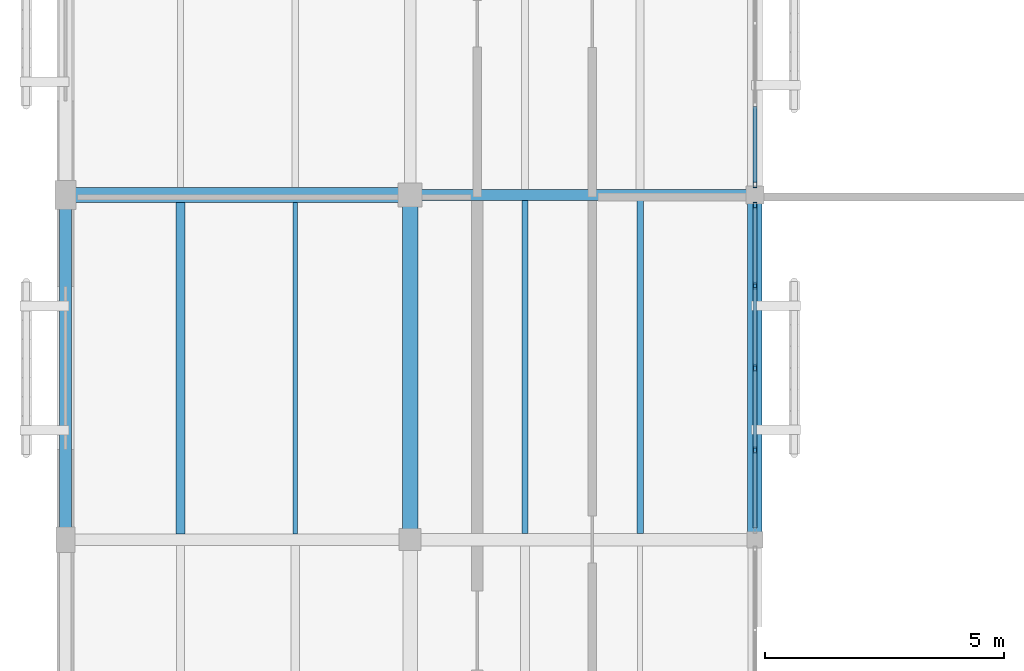
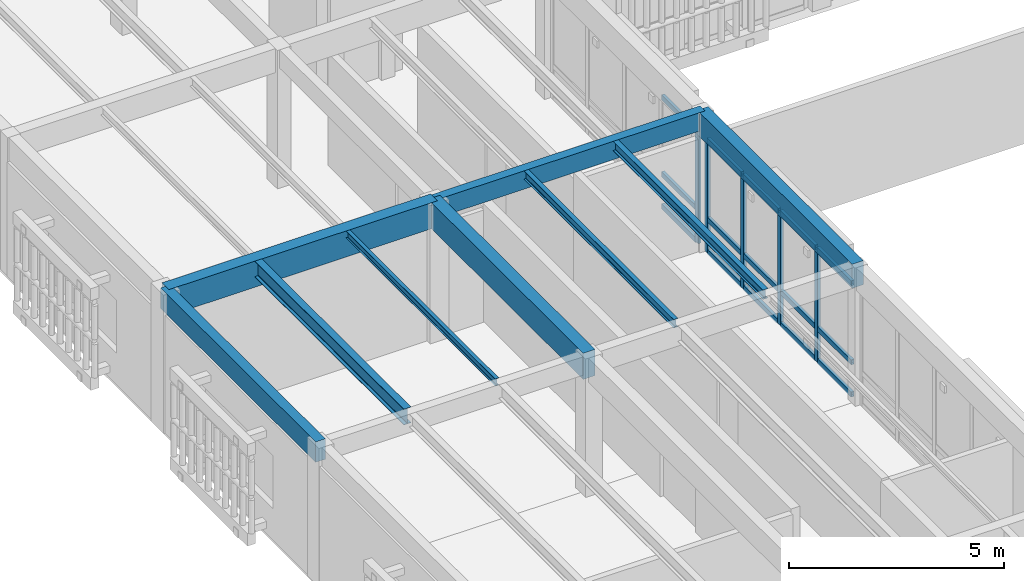
# One storey, part 30 of 112: 20 members, 9 beams, 2 elements without a shape of their own.
"""IFC4 building model written with IfcOpenShell, lengths in metres."""

import ifcopenshell
import ifcopenshell.guid

model = None  # the IFC model being written
_history = None  # IfcOwnerHistory: only IFC2X3 demands one
_inside = {}  # id of a spatial element -> (the spatial element, [elements in it])
_under = {}  # id of a project, library or spatial element -> (it, [spatial elements below it])
_declared = {}  # id of a project -> (the project, [libraries it declares])
_typed = {}  # id of a type object -> (the type object, [elements of that type])
_made_of = {}  # id of a material, layer set ... -> (it, [elements and type objects made of it])


def new_model(schema):
    """Start an empty IFC model of exactly this schema.

    Asked for "IFC4X3", IfcOpenShell would pick the latest addendum, in which some entities
    have other attributes; the version numbers below select the first issue.
    IFC2X3 requires an IfcOwnerHistory on every rooted entity: one is made here for all.
    """
    global model, _history
    if schema == "IFC4X3":
        model = ifcopenshell.file(schema_version=(4, 3, 0, 0))
    else:
        model = ifcopenshell.file(schema=schema)
    _inside.clear()
    _under.clear()
    _declared.clear()
    _typed.clear()
    _made_of.clear()
    _history = None
    if model.schema == "IFC2X3":
        org = make("IfcOrganization", Name="unknown")
        user = make(
            "IfcPersonAndOrganization",
            ThePerson=make("IfcPerson", FamilyName="unknown"),
            TheOrganization=org,
        )
        app = make(
            "IfcApplication",
            ApplicationDeveloper=org,
            Version="unknown",
            ApplicationFullName="unknown",
            ApplicationIdentifier="unknown",
        )
        _history = make(
            "IfcOwnerHistory",
            OwningUser=user,
            OwningApplication=app,
            ChangeAction="ADDED",
            CreationDate=0,
        )
    return model


def make(cls, **values):
    """One entity of the class cls with the attributes given. An attribute that is None is left unset."""
    return model.create_entity(
        cls, **{name: value for name, value in values.items() if value is not None}
    )


def rooted(cls, **values):
    """An entity with a GlobalId (a new one), such as an element, a storey or a relation."""
    return make(cls, GlobalId=ifcopenshell.guid.new(), OwnerHistory=_history, **values)


def si_unit(unit_type, name, prefix=None):
    """IfcSIUnit, for example si_unit("LENGTHUNIT", "METRE", prefix="MILLI")."""
    return make("IfcSIUnit", UnitType=unit_type, Prefix=prefix, Name=name)


def assignment(units):
    """IfcUnitAssignment: the units of a project."""
    return None if units is None else make("IfcUnitAssignment", Units=units)


def point(xyz):
    """IfcCartesianPoint."""
    return None if xyz is None else make("IfcCartesianPoint", Coordinates=xyz)


def direction(xyz):
    """IfcDirection."""
    return None if xyz is None else make("IfcDirection", DirectionRatios=xyz)


def frame(location, z_axis=None, x_axis=None):
    """IfcAxis2Placement3D, a coordinate frame: its origin and axes. An axis left out is left unset."""
    return make(
        "IfcAxis2Placement3D",
        Location=point(location),
        Axis=direction(z_axis),
        RefDirection=direction(x_axis),
    )


def frame_2d(location, x_axis=None):
    """IfcAxis2Placement2D, a coordinate frame in the plane: its origin and x axis."""
    return make(
        "IfcAxis2Placement2D", Location=point(location), RefDirection=direction(x_axis)
    )


def origin():
    """The frame at (0, 0, 0) with its axes left unset."""
    return frame((0.0, 0.0, 0.0))


def origin_2d():
    """The frame at (0, 0) in the plane with its x axis left unset."""
    return frame_2d((0.0, 0.0))


def place(relative_to, where):
    """IfcLocalPlacement: puts the frame where relative to a parent placement (None: the world)."""
    return make(
        "IfcLocalPlacement", PlacementRelTo=relative_to, RelativePlacement=where
    )


def context(
    kind, dimensions, precision=None, world=None, true_north=None, identifier=None
):
    """IfcGeometricRepresentationContext, for example the 3D "Model" context."""
    return make(
        "IfcGeometricRepresentationContext",
        ContextIdentifier=identifier,
        ContextType=kind,
        CoordinateSpaceDimension=dimensions,
        Precision=precision,
        WorldCoordinateSystem=world,
        TrueNorth=true_north,
    )


def subcontext(parent, identifier, kind, view, scale=None):
    """IfcGeometricRepresentationSubContext, for example "Body" below "Model"."""
    return make(
        "IfcGeometricRepresentationSubContext",
        ContextIdentifier=identifier,
        ContextType=kind,
        ParentContext=parent,
        TargetScale=scale,
        TargetView=view,
    )


def project(units=None, contexts=None):
    """IfcProject with its units and contexts."""
    return rooted(
        "IfcProject",
        Name="project",
        RepresentationContexts=contexts,
        UnitsInContext=assignment(units),
    )


def spatial(cls, under=None, at=None, **own):
    """A site, building, storey or space (cls), placed at a placement, below another one or the project."""
    s = rooted(cls, ObjectPlacement=at, **own)
    if under is not None:
        _under.setdefault(under.id(), (under, []))[1].append(s)
    return s


def profile(cls, at=None, kind="AREA", **sizes):
    """A parametric profile (cls). Its sizes go by their IFC names, for example OverallWidth=200.0."""
    return make(cls, ProfileType=kind, Position=at, **sizes)


def rectangle(**sizes):
    """IfcRectangleProfileDef."""
    return profile("IfcRectangleProfileDef", **sizes)


def hollow_rectangle(**sizes):
    """IfcRectangleHollowProfileDef."""
    return profile("IfcRectangleHollowProfileDef", **sizes)


def i_section(**sizes):
    """IfcIShapeProfileDef."""
    return profile("IfcIShapeProfileDef", **sizes)


def extrude(swept, where, along, depth):
    """IfcExtrudedAreaSolid: the profile swept, set in the frame where, extruded along a direction by depth."""
    return make(
        "IfcExtrudedAreaSolid",
        SweptArea=swept,
        Position=where,
        ExtrudedDirection=direction(along),
        Depth=depth,
    )


def shape(context_of_items, identifier, shape_type, items):
    """IfcShapeRepresentation: the items that make up one representation, for example the "Body"."""
    return make(
        "IfcShapeRepresentation",
        ContextOfItems=context_of_items,
        RepresentationIdentifier=identifier,
        RepresentationType=shape_type,
        Items=items,
    )


def material(Name=None, Category=None):
    """IfcMaterial."""
    return make("IfcMaterial", Name=Name, Category=Category)


def layer(
    of_material, thickness, ventilated=None, Name=None, Category=None, Priority=None
):
    """IfcMaterialLayer: one layer of a wall or slab, of a material (None: an air gap)."""
    return make(
        "IfcMaterialLayer",
        Material=of_material,
        LayerThickness=thickness,
        IsVentilated=ventilated,
        Name=Name,
        Category=Category,
        Priority=Priority,
    )


def layer_set(layers, Name=None):
    """IfcMaterialLayerSet."""
    return make("IfcMaterialLayerSet", MaterialLayers=layers, LayerSetName=Name)


def material_profile(
    of_material, cross_section, Name=None, Category=None, Priority=None
):
    """IfcMaterialProfile: a cross section and its material."""
    return make(
        "IfcMaterialProfile",
        Name=Name,
        Material=of_material,
        Profile=cross_section,
        Priority=Priority,
        Category=Category,
    )


def profile_set(profiles, Name=None, composite=None):
    """IfcMaterialProfileSet."""
    return make(
        "IfcMaterialProfileSet",
        Name=Name,
        MaterialProfiles=profiles,
        CompositeProfile=composite,
    )


def made_of(thing, what):
    """Note that an element or type object is made of a material, layer set ...; save() writes the relation."""
    if what is not None:
        _made_of.setdefault(what.id(), (what, []))[1].append(thing)
    return thing


def type_object(cls, material=None, **own):
    """A type object (cls), such as IfcWallType, which elements share."""
    return made_of(rooted(cls, **own), material)


def element(
    cls,
    number,
    at=None,
    inside=None,
    cuts=None,
    type_object=None,
    material=None,
    context=None,
    identifier="Body",
    shape_type=None,
    held_by="IfcProductDefinitionShape",
    body=None,
    shapes=None,
    **own,
):
    """One element of the class cls, such as IfcWall. Its Tag is "e" and its number.

    at: its placement. inside: the storey or other place that contains it. cuts: it is an
    opening in that element (IfcRelVoidsElement). A single representation is given by context,
    identifier, shape_type and body (its items); several are given by shapes. held_by: the class
    of the entity that holds the representations. save() writes the other relations.
    """
    e = rooted(cls, Tag="e%d" % number, ObjectPlacement=at, **own)
    if body is not None:
        shapes = [shape(context, identifier, shape_type, body)]
    if shapes is not None:
        e.Representation = make(held_by, Representations=shapes)
    if inside is not None:
        _inside.setdefault(inside.id(), (inside, []))[1].append(e)
    if cuts is not None:
        rooted(
            "IfcRelVoidsElement", RelatingBuildingElement=cuts, RelatedOpeningElement=e
        )
    if type_object is not None:
        _typed.setdefault(type_object.id(), (type_object, []))[1].append(e)
    return made_of(e, material)


def aggregate(whole, parts):
    """IfcRelAggregates: a whole, such as a stair, and the parts it consists of."""
    return rooted("IfcRelAggregates", RelatingObject=whole, RelatedObjects=parts)


def save(model, path):
    """Write the relations noted so far, then the file.

    IfcRelAggregates (storeys below a building ...), IfcRelContainedInSpatialStructure (elements
    in a storey), IfcRelDefinesByType, IfcRelAssociatesMaterial and IfcRelDeclares: one each for
    every whole, place, type object, material and project.
    """
    for whole, parts in _under.values():
        aggregate(whole, parts)
    for where, things in _inside.values():
        rooted(
            "IfcRelContainedInSpatialStructure",
            RelatedElements=things,
            RelatingStructure=where,
        )
    for kind, things in _typed.values():
        rooted("IfcRelDefinesByType", RelatedObjects=things, RelatingType=kind)
    for what, things in _made_of.values():
        rooted("IfcRelAssociatesMaterial", RelatedObjects=things, RelatingMaterial=what)
    for by, libraries in _declared.values():
        rooted("IfcRelDeclares", RelatingContext=by, RelatedDefinitions=libraries)
    model.write(path)


model = new_model("IFC4")

# Units and contexts
model_context = context("Model", 3, precision=1e-05, world=origin(), true_north=direction((0.0, 1.0)))
body_context = subcontext(model_context, "Body", "Model", "MODEL_VIEW")
ifc_project = project(units=[si_unit("LENGTHUNIT", "METRE"), si_unit("AREAUNIT", "SQUARE_METRE"), si_unit("VOLUMEUNIT", "CUBIC_METRE"), si_unit("PLANEANGLEUNIT", "RADIAN"), si_unit("MASSUNIT", "GRAM", prefix="KILO")], contexts=[model_context])

# Site, building, storey
site_placement = place(None, origin())
site = spatial("IfcSite", under=ifc_project, at=site_placement, CompositionType="ELEMENT")
building_placement = place(site_placement, origin())
building = spatial("IfcBuilding", under=site, at=building_placement, Name="Mazaris Harbour Polytechnic", CompositionType="ELEMENT")
storey_placement = place(building_placement, frame((0.0, 0.0, 13.800048828125)))
storey = spatial("IfcBuildingStorey", under=building, at=storey_placement, Name="L03", CompositionType="ELEMENT", Elevation=13.800048828125)

# Curtain wall, members
ifc_material_1 = material(Name="Anodised Bronze Aluminium and Low-E Glass", Category="aluminium")
ifc_layer = layer(ifc_material_1, 0.159912109375, Name="Anodised Bronze Aluminium and Low-E Glass")
ifc_layer_set = layer_set([ifc_layer], Name="Anodised Bronze Aluminium and Low-E Glass")
curtain_wall_type = type_object("IfcCurtainWallType", Name="Cloister Court Curtain Wall", PredefinedType="NOTDEFINED", material=ifc_layer_set)
curtain_wall_1_placement = place(storey_placement, origin())
curtain_wall_1 = element("IfcCurtainWall", 1, at=curtain_wall_1_placement, inside=storey, type_object=curtain_wall_type, Name="V4 L03 Curtain Wall 156", PredefinedType="NOTDEFINED")
ifc_material_2 = material(Name="Anodised Bronze Steel S355", Category="steel")
ifc_material_profile_1 = material_profile(ifc_material_2, hollow_rectangle(XDim=0.080078125, YDim=0.139892578125, WallThickness=0.00634765625, at=origin_2d()), Name="RHS 80x140x6.3")
ifc_profile_set_1 = profile_set([ifc_material_profile_1], Name="Anodised Bronze Steel S355")
member_type_1 = type_object("IfcMemberType", Name="Curtain Mullion RHS80x140", PredefinedType="MULLION", material=ifc_profile_set_1)
member_1_placement = place(storey_placement, frame((14.39990234375, 55.8759765625, 0.0), z_axis=(0.0, 0.0, 1.0), x_axis=(-1.0, 0.0, 0.0)))
member_1 = element("IfcMember", 2, at=member_1_placement, type_object=member_type_1, Name="CW-02 mullion 2", PredefinedType="MULLION", context=body_context, shape_type="SweptSolid", body=[
    extrude(hollow_rectangle(XDim=0.080078125, YDim=0.139892578125, WallThickness=0.00634765625, at=origin_2d()), origin(), (0.0, 0.0, 1.0), 3.22998046875),
])
member_2_placement = place(storey_placement, frame((14.39990234375, 57.590087890625, 0.0), z_axis=(0.0, 0.0, 1.0), x_axis=(-1.0, 0.0, 0.0)))
member_2 = element("IfcMember", 3, at=member_2_placement, type_object=member_type_1, Name="CW-02 mullion 3", PredefinedType="MULLION", context=body_context, shape_type="SweptSolid", body=[
    extrude(hollow_rectangle(XDim=0.080078125, YDim=0.139892578125, WallThickness=0.00634765625, at=origin_2d()), origin(), (0.0, 0.0, 1.0), 3.22998046875),
])
member_3_placement = place(storey_placement, frame((14.39990234375, 59.303955078125, 0.0), z_axis=(0.0, 0.0, 1.0), x_axis=(-1.0, 0.0, 0.0)))
member_3 = element("IfcMember", 4, at=member_3_placement, type_object=member_type_1, Name="CW-02 mullion 4", PredefinedType="MULLION", context=body_context, shape_type="SweptSolid", body=[
    extrude(hollow_rectangle(XDim=0.080078125, YDim=0.139892578125, WallThickness=0.00634765625, at=origin_2d()), origin(), (0.0, 0.0, 1.0), 3.22998046875),
])
member_4_placement = place(storey_placement, frame((14.39990234375, 60.97802734375, 0.0), z_axis=(0.0, 0.0, 1.0), x_axis=(-1.0, 0.0, 0.0)))
member_4 = element("IfcMember", 5, at=member_4_placement, type_object=member_type_1, Name="CW-02 mullion 5", PredefinedType="MULLION", context=body_context, shape_type="SweptSolid", body=[
    extrude(hollow_rectangle(XDim=0.080078125, YDim=0.139892578125, WallThickness=0.00634765625, at=origin_2d()), origin(), (0.0, 0.0, 1.0), 3.22998046875),
])

# Curtain wall, member
curtain_wall_2_placement = place(storey_placement, origin())
curtain_wall_2 = element("IfcCurtainWall", 6, at=curtain_wall_2_placement, inside=storey, type_object=curtain_wall_type, Name="V4 L03 Curtain Wall 157", PredefinedType="NOTDEFINED")
member_5_placement = place(storey_placement, frame((14.39990234375, 61.422119140625, 0.0), z_axis=(0.0, 0.0, 1.0), x_axis=(-1.0, 0.0, 0.0)))
member_5 = element("IfcMember", 7, at=member_5_placement, type_object=member_type_1, Name="CW-02 mullion 1", PredefinedType="MULLION", context=body_context, shape_type="SweptSolid", body=[
    extrude(hollow_rectangle(XDim=0.080078125, YDim=0.139892578125, WallThickness=0.00634765625, at=origin_2d()), origin(), (0.0, 0.0, 1.0), 3.169921875),
])

# Member
ifc_material_3 = material(Name="Anodised Bronze Steel S355", Category="steel")
ifc_material_profile_2 = material_profile(ifc_material_3, hollow_rectangle(XDim=0.080078125, YDim=0.139892578125, WallThickness=0.00634765625, at=origin_2d()), Name="RHS 80x140x6.3")
ifc_profile_set_2 = profile_set([ifc_material_profile_2], Name="Anodised Bronze Steel S355")
member_type_2 = type_object("IfcMemberType", Name="Curtain Transom RHS80x140", PredefinedType="USERDEFINED", material=ifc_profile_set_2)
member_6_placement = place(storey_placement, frame((14.39990234375, 54.241943359375, 0.0400390625), z_axis=(0.0, 1.0, 0.0), x_axis=(-1.0, 0.0, 0.0)))
member_6 = element("IfcMember", 8, at=member_6_placement, type_object=member_type_2, Name="CW-02 transom 1.1", ObjectType="TRANSOM", PredefinedType="USERDEFINED", context=body_context, shape_type="SweptSolid", body=[
    extrude(hollow_rectangle(XDim=0.080078125, YDim=0.139892578125, WallThickness=0.00634765625, at=origin_2d()), origin(), (0.0, 0.0, 1.0), 1.593994140625),
])

member_7_placement = place(storey_placement, frame((14.39990234375, 54.241943359375, 0.949951171875), z_axis=(0.0, 1.0, 0.0), x_axis=(-1.0, 0.0, 0.0)))
member_7 = element("IfcMember", 9, at=member_7_placement, type_object=member_type_2, Name="CW-02 transom 1.2", ObjectType="TRANSOM", PredefinedType="USERDEFINED", context=body_context, shape_type="SweptSolid", body=[
    extrude(hollow_rectangle(XDim=0.080078125, YDim=0.139892578125, WallThickness=0.00634765625, at=origin_2d()), origin(), (0.0, 0.0, 1.0), 1.593994140625),
])

member_8_placement = place(storey_placement, frame((14.39990234375, 54.241943359375, 3.18994140625), z_axis=(0.0, 1.0, 0.0), x_axis=(-1.0, 0.0, 0.0)))
member_8 = element("IfcMember", 10, at=member_8_placement, type_object=member_type_2, Name="CW-02 transom 1.3", ObjectType="TRANSOM", PredefinedType="USERDEFINED", context=body_context, shape_type="SweptSolid", body=[
    extrude(hollow_rectangle(XDim=0.080078125, YDim=0.139892578125, WallThickness=0.00634765625, at=origin_2d()), origin(), (0.0, 0.0, 1.0), 1.593994140625),
])

member_9_placement = place(storey_placement, frame((14.39990234375, 55.916015625, 0.0400390625), z_axis=(0.0, 1.0, 0.0), x_axis=(-1.0, 0.0, 0.0)))
member_9 = element("IfcMember", 11, at=member_9_placement, type_object=member_type_2, Name="CW-02 transom 2.1", ObjectType="TRANSOM", PredefinedType="USERDEFINED", context=body_context, shape_type="SweptSolid", body=[
    extrude(hollow_rectangle(XDim=0.080078125, YDim=0.139892578125, WallThickness=0.00634765625, at=origin_2d()), origin(), (0.0, 0.0, 1.0), 1.634033203125),
])

member_10_placement = place(storey_placement, frame((14.39990234375, 55.916015625, 0.949951171875), z_axis=(0.0, 1.0, 0.0), x_axis=(-1.0, 0.0, 0.0)))
member_10 = element("IfcMember", 12, at=member_10_placement, type_object=member_type_2, Name="CW-02 transom 2.2", ObjectType="TRANSOM", PredefinedType="USERDEFINED", context=body_context, shape_type="SweptSolid", body=[
    extrude(hollow_rectangle(XDim=0.080078125, YDim=0.139892578125, WallThickness=0.00634765625, at=origin_2d()), origin(), (0.0, 0.0, 1.0), 1.634033203125),
])

member_11_placement = place(storey_placement, frame((14.39990234375, 55.916015625, 3.18994140625), z_axis=(0.0, 1.0, 0.0), x_axis=(-1.0, 0.0, 0.0)))
member_11 = element("IfcMember", 13, at=member_11_placement, type_object=member_type_2, Name="CW-02 transom 2.3", ObjectType="TRANSOM", PredefinedType="USERDEFINED", context=body_context, shape_type="SweptSolid", body=[
    extrude(hollow_rectangle(XDim=0.080078125, YDim=0.139892578125, WallThickness=0.00634765625, at=origin_2d()), origin(), (0.0, 0.0, 1.0), 1.634033203125),
])

member_12_placement = place(storey_placement, frame((14.39990234375, 57.6298828125, 0.0400390625), z_axis=(0.0, 1.0, 0.0), x_axis=(-1.0, 0.0, 0.0)))
member_12 = element("IfcMember", 14, at=member_12_placement, type_object=member_type_2, Name="CW-02 transom 3.1", ObjectType="TRANSOM", PredefinedType="USERDEFINED", context=body_context, shape_type="SweptSolid", body=[
    extrude(hollow_rectangle(XDim=0.080078125, YDim=0.139892578125, WallThickness=0.00634765625, at=origin_2d()), origin(), (0.0, 0.0, 1.0), 1.634033203125),
])

member_13_placement = place(storey_placement, frame((14.39990234375, 57.6298828125, 0.949951171875), z_axis=(0.0, 1.0, 0.0), x_axis=(-1.0, 0.0, 0.0)))
member_13 = element("IfcMember", 15, at=member_13_placement, type_object=member_type_2, Name="CW-02 transom 3.2", ObjectType="TRANSOM", PredefinedType="USERDEFINED", context=body_context, shape_type="SweptSolid", body=[
    extrude(hollow_rectangle(XDim=0.080078125, YDim=0.139892578125, WallThickness=0.00634765625, at=origin_2d()), origin(), (0.0, 0.0, 1.0), 1.634033203125),
])

member_14_placement = place(storey_placement, frame((14.39990234375, 57.6298828125, 3.18994140625), z_axis=(0.0, 1.0, 0.0), x_axis=(-1.0, 0.0, 0.0)))
member_14 = element("IfcMember", 16, at=member_14_placement, type_object=member_type_2, Name="CW-02 transom 3.3", ObjectType="TRANSOM", PredefinedType="USERDEFINED", context=body_context, shape_type="SweptSolid", body=[
    extrude(hollow_rectangle(XDim=0.080078125, YDim=0.139892578125, WallThickness=0.00634765625, at=origin_2d()), origin(), (0.0, 0.0, 1.0), 1.634033203125),
])

member_15_placement = place(storey_placement, frame((14.39990234375, 59.343994140625, 0.0400390625), z_axis=(0.0, 1.0, 0.0), x_axis=(-1.0, 0.0, 0.0)))
member_15 = element("IfcMember", 17, at=member_15_placement, type_object=member_type_2, Name="CW-02 transom 4.1", ObjectType="TRANSOM", PredefinedType="USERDEFINED", context=body_context, shape_type="SweptSolid", body=[
    extrude(hollow_rectangle(XDim=0.080078125, YDim=0.139892578125, WallThickness=0.00634765625, at=origin_2d()), origin(), (0.0, 0.0, 1.0), 1.593994140625),
])

member_16_placement = place(storey_placement, frame((14.39990234375, 59.343994140625, 0.949951171875), z_axis=(0.0, 1.0, 0.0), x_axis=(-1.0, 0.0, 0.0)))
member_16 = element("IfcMember", 18, at=member_16_placement, type_object=member_type_2, Name="CW-02 transom 4.2", ObjectType="TRANSOM", PredefinedType="USERDEFINED", context=body_context, shape_type="SweptSolid", body=[
    extrude(hollow_rectangle(XDim=0.080078125, YDim=0.139892578125, WallThickness=0.00634765625, at=origin_2d()), origin(), (0.0, 0.0, 1.0), 1.593994140625),
])

member_17_placement = place(storey_placement, frame((14.39990234375, 59.343994140625, 3.18994140625), z_axis=(0.0, 1.0, 0.0), x_axis=(-1.0, 0.0, 0.0)))
member_17 = element("IfcMember", 19, at=member_17_placement, type_object=member_type_2, Name="CW-02 transom 4.3", ObjectType="TRANSOM", PredefinedType="USERDEFINED", context=body_context, shape_type="SweptSolid", body=[
    extrude(hollow_rectangle(XDim=0.080078125, YDim=0.139892578125, WallThickness=0.00634765625, at=origin_2d()), origin(), (0.0, 0.0, 1.0), 1.593994140625),
])

aggregate(curtain_wall_1, [member_1, member_2, member_3, member_4, member_6, member_7, member_8, member_9, member_10, member_11, member_12, member_13, member_14, member_15, member_16, member_17])

member_18_placement = place(storey_placement, frame((14.39990234375, 61.4619140625, 0.0400390625), z_axis=(0.0, 1.0, 0.0), x_axis=(-1.0, 0.0, 0.0)))
member_18 = element("IfcMember", 20, at=member_18_placement, type_object=member_type_2, Name="CW-02 transom 1.1", ObjectType="TRANSOM", PredefinedType="USERDEFINED", context=body_context, shape_type="SweptSolid", body=[
    extrude(hollow_rectangle(XDim=0.080078125, YDim=0.139892578125, WallThickness=0.00634765625, at=origin_2d()), origin(), (0.0, 0.0, 1.0), 1.583984375),
])

member_19_placement = place(storey_placement, frame((14.39990234375, 61.4619140625, 0.949951171875), z_axis=(0.0, 1.0, 0.0), x_axis=(-1.0, 0.0, 0.0)))
member_19 = element("IfcMember", 21, at=member_19_placement, type_object=member_type_2, Name="CW-02 transom 1.2", ObjectType="TRANSOM", PredefinedType="USERDEFINED", context=body_context, shape_type="SweptSolid", body=[
    extrude(hollow_rectangle(XDim=0.080078125, YDim=0.139892578125, WallThickness=0.00634765625, at=origin_2d()), origin(), (0.0, 0.0, 1.0), 1.583984375),
])

member_20_placement = place(storey_placement, frame((14.39990234375, 61.4619140625, 3.1298828125), z_axis=(0.0, 1.0, 0.0), x_axis=(-1.0, 0.0, 0.0)))
member_20 = element("IfcMember", 22, at=member_20_placement, type_object=member_type_2, Name="CW-02 transom 1.3", ObjectType="TRANSOM", PredefinedType="USERDEFINED", context=body_context, shape_type="SweptSolid", body=[
    extrude(hollow_rectangle(XDim=0.080078125, YDim=0.139892578125, WallThickness=0.00634765625, at=origin_2d()), origin(), (0.0, 0.0, 1.0), 1.583984375),
])

aggregate(curtain_wall_2, [member_5, member_18, member_19, member_20])

# Beams
ifc_material_4 = material(Name="Glulam GL32h", Category="wood")
ifc_material_profile_3 = material_profile(ifc_material_4, rectangle(XDim=0.239990234375, YDim=0.52001953125, at=origin_2d()), Name="RECT240x520")
ifc_profile_set_3 = profile_set([ifc_material_profile_3], Name="Glulam GL32h")
beam_type_1 = type_object("IfcBeamType", Name="Glulam Girder 240x520", PredefinedType="BEAM", material=ifc_profile_set_3)
beam_1_placement = place(storey_placement, frame((7.199951171875, 61.199951171875, 3.659912109375), z_axis=(1.0, 0.0, 0.0), x_axis=(0.0, 1.0, 0.0)))
element("IfcBeam", 23, at=beam_1_placement, inside=storey, type_object=beam_type_1, Name="V4 L03 Girder 2205", PredefinedType="BEAM", context=body_context, shape_type="SweptSolid", body=[
    extrude(rectangle(XDim=0.239990234375, YDim=0.52001953125, at=origin_2d()), origin(), (0.0, 0.0, 1.0), 7.199951171875),
])
ifc_material_5 = material(Name="Glulam GL32h", Category="wood")
ifc_material_profile_4 = material_profile(ifc_material_5, rectangle(XDim=0.260009765625, YDim=0.580078125, at=origin_2d()), Name="RECT260x580")
ifc_profile_set_4 = profile_set([ifc_material_profile_4], Name="Glulam GL32h")
beam_type_2 = type_object("IfcBeamType", Name="Glulam Girder 260x580 Exterior", PredefinedType="BEAM", material=ifc_profile_set_4)
beam_2_placement = place(storey_placement, frame((0.0, 54.0, 3.6298828125), z_axis=(0.0, 1.0, 0.0), x_axis=(-1.0, 0.0, 0.0)))
element("IfcBeam", 24, at=beam_2_placement, inside=storey, type_object=beam_type_2, Name="V4 L03 Tie Girder 2226", PredefinedType="BEAM", context=body_context, shape_type="SweptSolid", body=[
    extrude(rectangle(XDim=0.260009765625, YDim=0.580078125, at=origin_2d()), origin(), (0.0, 0.0, 1.0), 7.199951171875),
])
ifc_material_6 = material(Name="Glulam GL32h", Category="wood")
ifc_material_profile_5 = material_profile(ifc_material_6, rectangle(XDim=0.300048828125, YDim=0.679931640625, at=origin_2d()), Name="RECT300x680")
ifc_profile_set_5 = profile_set([ifc_material_profile_5], Name="Glulam GL32h")
beam_type_3 = type_object("IfcBeamType", Name="Glulam Girder 300x680", PredefinedType="BEAM", material=ifc_profile_set_5)
beam_3_placement = place(storey_placement, frame((14.39990234375, 54.0, 3.579833984375), z_axis=(0.0, 1.0, 0.0), x_axis=(-1.0, 0.0, 0.0)))
element("IfcBeam", 25, at=beam_3_placement, inside=storey, type_object=beam_type_3, Name="V4 L03 Tie Girder 2243", PredefinedType="BEAM", context=body_context, shape_type="SweptSolid", body=[
    extrude(rectangle(XDim=0.300048828125, YDim=0.679931640625, at=origin_2d()), origin(), (0.0, 0.0, 1.0), 7.199951171875),
])
ifc_material_7 = material(Name="Glulam GL32h", Category="wood")
ifc_material_profile_6 = material_profile(ifc_material_7, rectangle(XDim=0.320068359375, YDim=0.739990234375, at=origin_2d()), Name="RECT320x740")
ifc_profile_set_6 = profile_set([ifc_material_profile_6], Name="Glulam GL32h")
beam_type_4 = type_object("IfcBeamType", Name="Glulam Girder 320x740", PredefinedType="BEAM", material=ifc_profile_set_6)
for number, where, z_axis, x_axis, name in (
    (26, (0.0, 61.199951171875, 3.550048828125), (1.0, 0.0, 0.0), (0.0, 1.0, 0.0), "V4 L03 Girder 2204"),
    (27, (7.199951171875, 54.0, 3.550048828125), (0.0, 1.0, 0.0), (-1.0, 0.0, 0.0), "V4 L03 Tie Girder 2234"),
):
    element("IfcBeam", number, at=place(storey_placement, frame(where, z_axis=z_axis, x_axis=x_axis)), inside=storey, type_object=beam_type_4, Name=name, PredefinedType="BEAM", context=body_context, shape_type="SweptSolid", body=[
        extrude(rectangle(XDim=0.320068359375, YDim=0.739990234375, at=origin_2d()), origin(), (0.0, 0.0, 1.0), 7.199951171875),
    ])
ifc_material_8 = material(Name="Steel S355", Category="steel")
ifc_material_profile_7 = material_profile(ifc_material_8, i_section(OverallWidth=0.10009765625, OverallDepth=0.199951171875, WebThickness=0.005615234375, FlangeThickness=0.008544921875, FilletRadius=0.011962890625, at=origin_2d()), Name="IPE 200")
ifc_profile_set_7 = profile_set([ifc_material_profile_7], Name="Steel S355")
beam_type_5 = type_object("IfcBeamType", Name="Steel Joist IPE200", PredefinedType="JOIST", material=ifc_profile_set_7)
beam_4_placement = place(storey_placement, frame((4.800048828125, 54.1201171875, 3.820068359375), z_axis=(0.0, 1.0, 0.0), x_axis=(-1.0, 0.0, 0.0)))
element("IfcBeam", 28, at=beam_4_placement, inside=storey, type_object=beam_type_5, Name="V4 L03 Floor Joist 2289", PredefinedType="JOIST", context=body_context, shape_type="SweptSolid", body=[
    extrude(i_section(OverallWidth=0.10009765625, OverallDepth=0.199951171875, WebThickness=0.005615234375, FlangeThickness=0.008544921875, FilletRadius=0.011962890625, at=origin_2d()), origin(), (0.0, 0.0, 1.0), 6.919921875),
])
ifc_material_9 = material(Name="Steel S355", Category="steel")
ifc_material_profile_8 = material_profile(ifc_material_9, i_section(OverallWidth=0.1201171875, OverallDepth=0.239990234375, WebThickness=0.006103515625, FlangeThickness=0.009765625, FilletRadius=0.014892578125, at=origin_2d()), Name="IPE 240")
ifc_profile_set_8 = profile_set([ifc_material_profile_8], Name="Steel S355")
beam_type_6 = type_object("IfcBeamType", Name="Steel Joist IPE240", PredefinedType="JOIST", material=ifc_profile_set_8)
beam_5_placement = place(storey_placement, frame((9.60009765625, 54.1298828125, 3.800048828125), z_axis=(0.0, 1.0, 0.0), x_axis=(-1.0, 0.0, 0.0)))
element("IfcBeam", 29, at=beam_5_placement, inside=storey, type_object=beam_type_6, Name="V4 L03 Floor Joist 2304", PredefinedType="JOIST", context=body_context, shape_type="SweptSolid", body=[
    extrude(i_section(OverallWidth=0.1201171875, OverallDepth=0.239990234375, WebThickness=0.006103515625, FlangeThickness=0.009765625, FilletRadius=0.014892578125, at=origin_2d()), origin(), (0.0, 0.0, 1.0), 6.9501953125),
])
ifc_material_10 = material(Name="Steel S355", Category="steel")
ifc_material_profile_9 = material_profile(ifc_material_10, i_section(OverallWidth=0.135009765625, OverallDepth=0.27001953125, WebThickness=0.006591796875, FlangeThickness=0.01025390625, FilletRadius=0.014892578125, at=origin_2d()), Name="IPE 270")
ifc_profile_set_9 = profile_set([ifc_material_profile_9], Name="Steel S355")
beam_type_7 = type_object("IfcBeamType", Name="Steel Joist IPE270", PredefinedType="JOIST", material=ifc_profile_set_9)
beam_6_placement = place(storey_placement, frame((12.0, 54.1298828125, 3.784912109375), z_axis=(0.0, 1.0, 0.0), x_axis=(-1.0, 0.0, 0.0)))
element("IfcBeam", 30, at=beam_6_placement, inside=storey, type_object=beam_type_7, Name="V4 L03 Floor Joist 2305", PredefinedType="JOIST", context=body_context, shape_type="SweptSolid", body=[
    extrude(i_section(OverallWidth=0.135009765625, OverallDepth=0.27001953125, WebThickness=0.006591796875, FlangeThickness=0.01025390625, FilletRadius=0.014892578125, at=origin_2d()), origin(), (0.0, 0.0, 1.0), 6.9501953125),
])
ifc_material_11 = material(Name="Steel S355", Category="steel")
ifc_material_profile_10 = material_profile(ifc_material_11, i_section(OverallWidth=0.18994140625, OverallDepth=0.449951171875, WebThickness=0.009521484375, FlangeThickness=0.0146484375, FilletRadius=0.02099609375, at=origin_2d()), Name="IPE 450")
ifc_profile_set_10 = profile_set([ifc_material_profile_10], Name="Steel S355")
beam_type_8 = type_object("IfcBeamType", Name="Steel Joist IPE450", PredefinedType="JOIST", material=ifc_profile_set_10)
beam_7_placement = place(storey_placement, frame((2.39990234375, 54.1201171875, 3.695068359375), z_axis=(0.0, 1.0, 0.0), x_axis=(-1.0, 0.0, 0.0)))
element("IfcBeam", 31, at=beam_7_placement, inside=storey, type_object=beam_type_8, Name="V4 L03 Floor Joist 2288", PredefinedType="JOIST", context=body_context, shape_type="SweptSolid", body=[
    extrude(i_section(OverallWidth=0.18994140625, OverallDepth=0.449951171875, WebThickness=0.009521484375, FlangeThickness=0.0146484375, FilletRadius=0.02099609375, at=origin_2d()), origin(), (0.0, 0.0, 1.0), 6.919921875),
])

save(model, "model.ifc")
